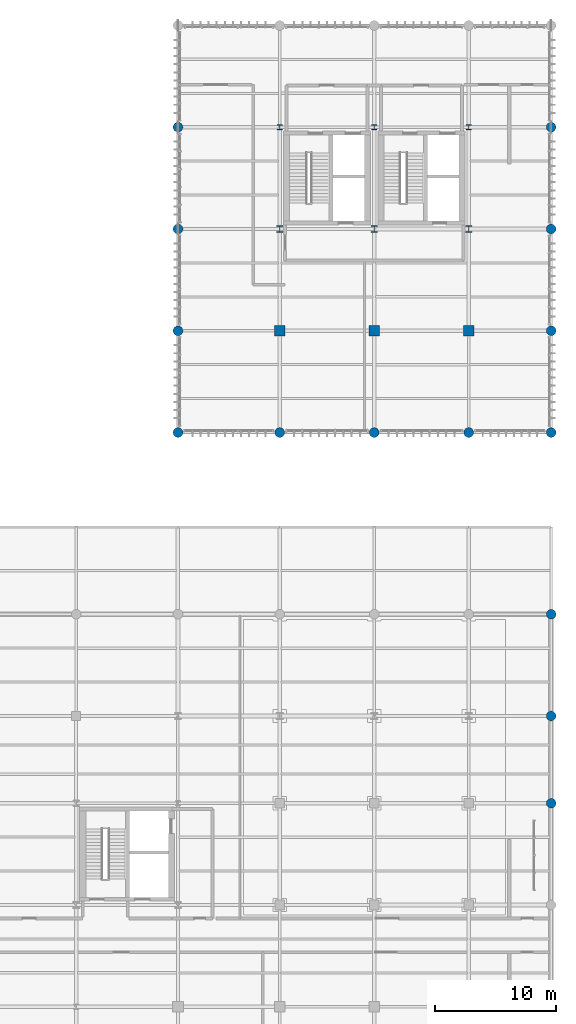
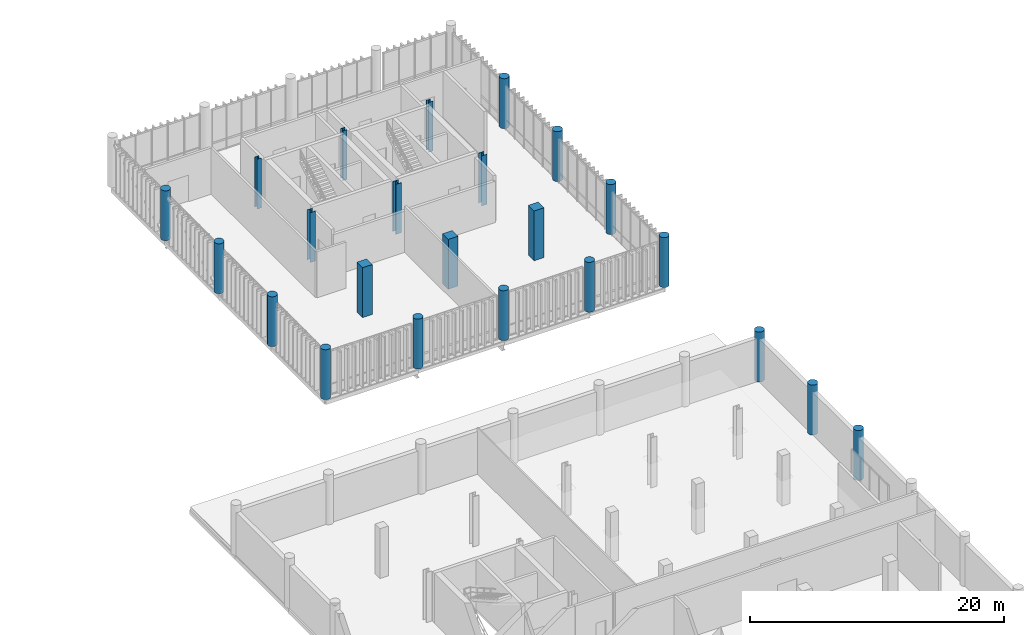
# One storey, part 10 of 109: 23 columns.
"""IFC4 building model written with IfcOpenShell, lengths in metres."""

from ifc_helpers import new_model, si_unit, direction, frame, origin_with_axes, origin_2d_with_axis, place, context, subcontext, project, spatial, rectangle, circle, i_section, extrude, material, material_profile, profile_set, type_object, element, save


model = new_model("IFC4")

# Units and contexts
model_context = context("Model", 3, precision=1e-05, world=origin_with_axes(), true_north=direction((0.0, 1.0)))
body_context = subcontext(model_context, "Body", "Model", "MODEL_VIEW")
ifc_project = project(units=[si_unit("LENGTHUNIT", "METRE"), si_unit("AREAUNIT", "SQUARE_METRE"), si_unit("VOLUMEUNIT", "CUBIC_METRE"), si_unit("PLANEANGLEUNIT", "RADIAN"), si_unit("MASSUNIT", "GRAM", prefix="KILO"), si_unit("THERMODYNAMICTEMPERATUREUNIT", "KELVIN")], contexts=[model_context])

# Site, building, storey
site_placement = place(None, origin_with_axes())
site = spatial("IfcSite", under=ifc_project, at=site_placement, CompositionType="ELEMENT")
building_placement = place(site_placement, origin_with_axes())
building = spatial("IfcBuilding", under=site, at=building_placement, Name="Montbau Bow Law Courts", CompositionType="ELEMENT")
storey_placement = place(building_placement, frame((0.0, 0.0, 10.8), z_axis=(0.0, 0.0, 1.0), x_axis=(1.0, 0.0, 0.0)))
storey = spatial("IfcBuildingStorey", under=building, at=storey_placement, Name="L02", CompositionType="ELEMENT", Elevation=10.8)

# Columns
ifc_material_1 = material(Name="Concrete CSA A23.1 f'c 45 MPa", Category="concrete")
ifc_material_profile_1 = material_profile(ifc_material_1, rectangle(XDim=0.9, YDim=0.9, at=origin_2d_with_axis()), Name="RC900X900", Category="Main", Priority=0)
ifc_profile_set_1 = profile_set([ifc_material_profile_1], Name="Concrete CSA A23.1 f'c 45 MPa")
column_type_1 = type_object("IfcColumnType", Name="C-RC-01", PredefinedType="COLUMN", material=ifc_profile_set_1)
for number, where, z_axis, x_axis, name in (
    (1, (147.0, 78.0, 10.8), (0.0, 0.0, 1.0), (1.0, 0.0, 0.0), "C-L02-S0603:col2_0603"),
    (2, (154.8, 78.0, 10.8), (0.0, 0.0, 1.0), (1.0, 0.0, 0.0), "C-L02-S0615:col2_0615"),
    (3, (162.6, 78.0, 10.8), (0.0, 0.0, 1.0), (1.0, 0.0, 0.0), "C-L02-S0627:col2_0627"),
):
    element("IfcColumn", number, at=place(None, frame(where, z_axis=z_axis, x_axis=x_axis)), inside=storey, type_object=column_type_1, Name=name, PredefinedType="COLUMN", context=body_context, shape_type="SweptSolid", body=[
        extrude(rectangle(XDim=0.9, YDim=0.9, at=origin_2d_with_axis()), origin_with_axes(), (0.0, 0.0, 1.0), 4.8),
    ])
ifc_material_2 = material(Name="Concrete CSA A23.1 f'c 40 MPa", Category="concrete")
ifc_material_profile_2 = material_profile(ifc_material_2, circle(Radius=0.4, at=origin_2d_with_axis()), Name="RC800D", Category="Main", Priority=0)
ifc_profile_set_2 = profile_set([ifc_material_profile_2], Name="Concrete CSA A23.1 f'c 40 MPa")
column_type_2 = type_object("IfcColumnType", Name="C-RC-07", PredefinedType="COLUMN", material=ifc_profile_set_2)
for number, where, z_axis, x_axis, name in (
    (4, (138.6, 69.6, 10.8), (0.0, 0.0, 1.0), (1.0, 0.0, 0.0), "C-L02-S0590:col2_0590"),
    (5, (138.6, 78.0, 10.8), (0.0, 0.0, 1.0), (1.0, 0.0, 0.0), "C-L02-S0591:col2_0591"),
    (6, (138.6, 86.4, 10.8), (0.0, 0.0, 1.0), (1.0, 0.0, 0.0), "C-L02-S0592:col2_0592"),
    (7, (138.6, 94.8, 10.8), (0.0, 0.0, 1.0), (1.0, 0.0, 0.0), "C-L02-S0593:col2_0593"),
    (8, (147.0, 69.6, 10.8), (0.0, 0.0, 1.0), (1.0, 0.0, 0.0), "C-L02-S0602:col2_0602"),
    (9, (154.8, 69.6, 10.8), (0.0, 0.0, 1.0), (1.0, 0.0, 0.0), "C-L02-S0614:col2_0614"),
    (10, (162.6, 69.6, 10.8), (0.0, 0.0, 1.0), (1.0, 0.0, 0.0), "C-L02-S0626:col2_0626"),
    (11, (169.4, 39.0, 10.8), (0.0, 0.0, 1.0), (1.0, 0.0, 0.0), "C-L02-S0635:col2_0635"),
    (12, (169.4, 46.2, 10.8), (0.0, 0.0, 1.0), (1.0, 0.0, 0.0), "C-L02-S0636:col2_0636"),
    (13, (169.4, 54.6, 10.8), (0.0, 0.0, 1.0), (1.0, 0.0, 0.0), "C-L02-S0637:col2_0637"),
    (14, (169.4, 69.6, 10.8), (0.0, 0.0, 1.0), (1.0, 0.0, 0.0), "C-L02-S0638:col2_0638"),
    (15, (169.4, 78.0, 10.8), (0.0, 0.0, 1.0), (1.0, 0.0, 0.0), "C-L02-S0639:col2_0639"),
    (16, (169.4, 86.4, 10.8), (0.0, 0.0, 1.0), (1.0, 0.0, 0.0), "C-L02-S0640:col2_0640"),
    (17, (169.4, 94.8, 10.8), (0.0, 0.0, 1.0), (1.0, 0.0, 0.0), "C-L02-S0641:col2_0641"),
):
    element("IfcColumn", number, at=place(None, frame(where, z_axis=z_axis, x_axis=x_axis)), inside=storey, type_object=column_type_2, Name=name, PredefinedType="COLUMN", context=body_context, shape_type="SweptSolid", body=[
        extrude(circle(Radius=0.4, at=origin_2d_with_axis()), origin_with_axes(), (0.0, 0.0, 1.0), 4.8),
    ])
ifc_material_3 = material(Name="Steel CSA G40.21 Grade 350W (350 MPa)", Category="steel")
ifc_material_profile_3 = material_profile(ifc_material_3, i_section(OverallWidth=0.5, OverallDepth=0.5, WebThickness=0.022, FlangeThickness=0.036, at=origin_2d_with_axis()), Name="WWF500X343", Category="Main", Priority=0)
ifc_profile_set_3 = profile_set([ifc_material_profile_3], Name="Steel CSA G40.21 Grade 350W (350 MPa)")
column_type_3 = type_object("IfcColumnType", Name="C-STL-02", PredefinedType="COLUMN", material=ifc_profile_set_3)
for number, where, z_axis, x_axis, name in (
    (18, (147.0, 86.4, 10.8), (0.0, 0.0, 1.0), (1.0, 0.0, 0.0), "C-L02-S0604:col2_0604"),
    (19, (154.8, 86.4, 10.8), (0.0, 0.0, 1.0), (1.0, 0.0, 0.0), "C-L02-S0616:col2_0616"),
    (20, (162.6, 86.4, 10.8), (0.0, 0.0, 1.0), (1.0, 0.0, 0.0), "C-L02-S0628:col2_0628"),
):
    element("IfcColumn", number, at=place(None, frame(where, z_axis=z_axis, x_axis=x_axis)), inside=storey, type_object=column_type_3, Name=name, PredefinedType="COLUMN", context=body_context, shape_type="SweptSolid", body=[
        extrude(i_section(OverallWidth=0.5, OverallDepth=0.5, WebThickness=0.022, FlangeThickness=0.036, at=origin_2d_with_axis()), origin_with_axes(), (0.0, 0.0, 1.0), 4.8),
    ])
ifc_material_profile_4 = material_profile(ifc_material_3, i_section(OverallWidth=0.395, OverallDepth=0.38, WebThickness=0.0189, FlangeThickness=0.0302, at=origin_2d_with_axis()), Name="W360X237", Category="Main", Priority=0)
ifc_profile_set_4 = profile_set([ifc_material_profile_4], Name="Steel CSA G40.21 Grade 350W (350 MPa)")
column_type_4 = type_object("IfcColumnType", Name="C-STL-03", PredefinedType="COLUMN", material=ifc_profile_set_4)
for number, where, z_axis, x_axis, name in (
    (21, (147.0, 94.8, 10.8), (0.0, 0.0, 1.0), (1.0, 0.0, 0.0), "C-L02-S0605:col2_0605"),
    (22, (154.8, 94.8, 10.8), (0.0, 0.0, 1.0), (1.0, 0.0, 0.0), "C-L02-S0617:col2_0617"),
    (23, (162.6, 94.8, 10.8), (0.0, 0.0, 1.0), (1.0, 0.0, 0.0), "C-L02-S0629:col2_0629"),
):
    element("IfcColumn", number, at=place(None, frame(where, z_axis=z_axis, x_axis=x_axis)), inside=storey, type_object=column_type_4, Name=name, PredefinedType="COLUMN", context=body_context, shape_type="SweptSolid", body=[
        extrude(i_section(OverallWidth=0.395, OverallDepth=0.38, WebThickness=0.0189, FlangeThickness=0.0302, at=origin_2d_with_axis()), origin_with_axes(), (0.0, 0.0, 1.0), 4.8),
    ])

save(model, "model.ifc")
